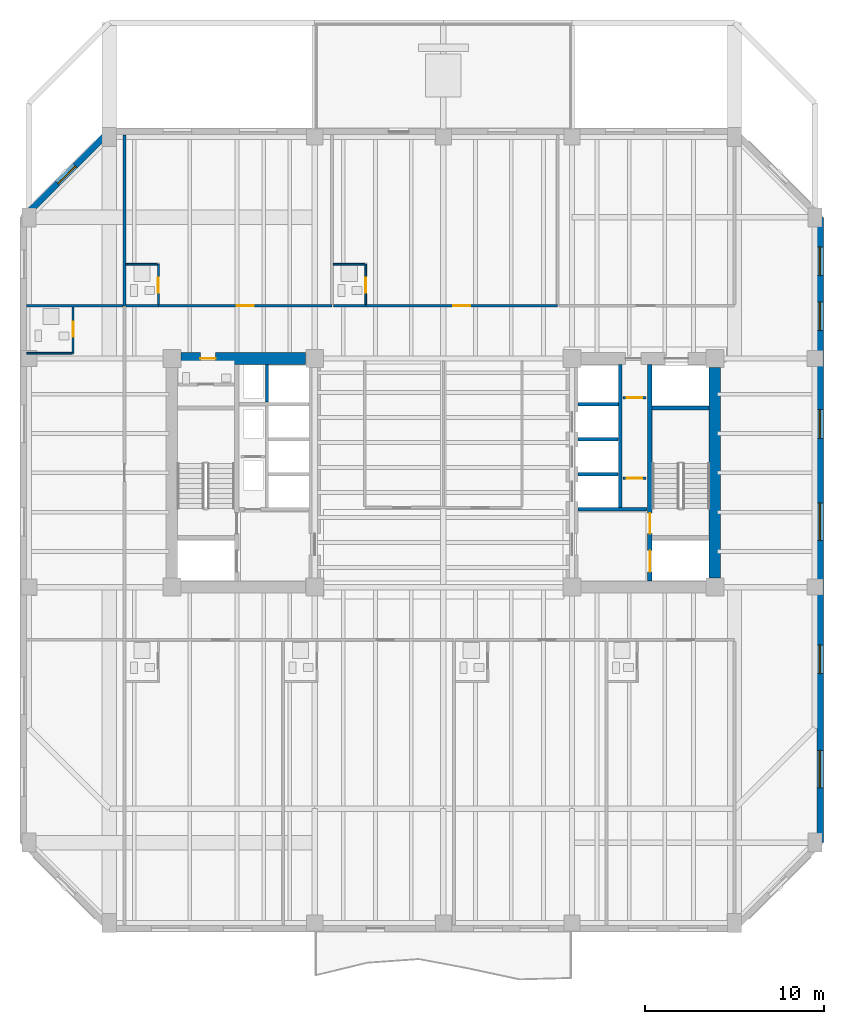
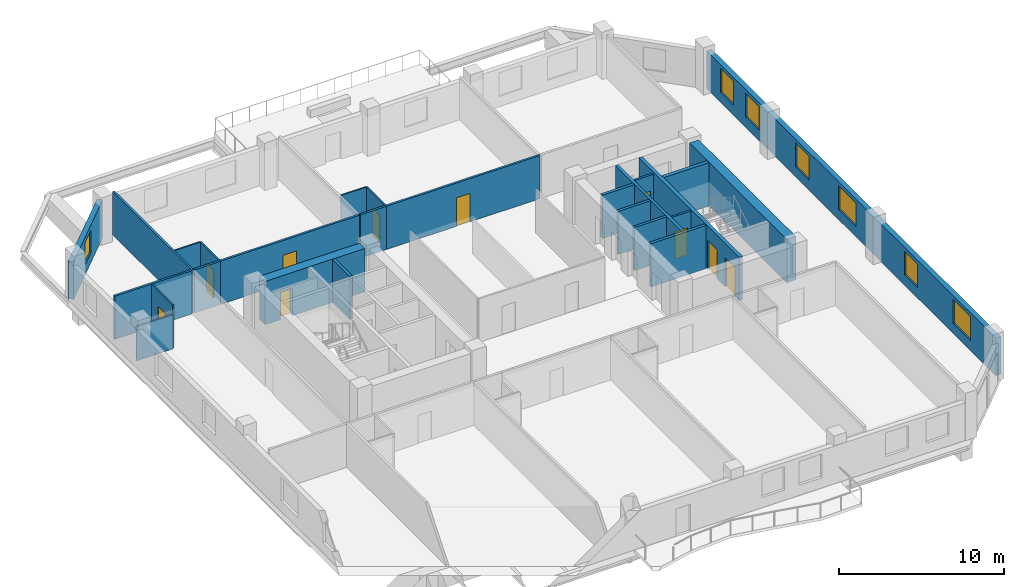
# One storey, part 5 of 11: 26 walls, 10 doors, 7 windows, 17 openings.
"""IFC4 building model written with IfcOpenShell, lengths in metres."""

from ifc_helpers import new_model, si_unit, direction, frame, frame_2d, origin, place, context, subcontext, project, spatial, rectangle, extrude, material, layer, layer_set, type_object, element, fill, save


model = new_model("IFC4")

# Units and contexts
model_context = context("Model", 3, precision=1e-05, world=origin(), true_north=direction((0.0, 1.0)))
body_context = subcontext(model_context, "Body", "Model", "MODEL_VIEW")
ifc_project = project(units=[si_unit("LENGTHUNIT", "METRE"), si_unit("AREAUNIT", "SQUARE_METRE"), si_unit("VOLUMEUNIT", "CUBIC_METRE"), si_unit("PLANEANGLEUNIT", "RADIAN"), si_unit("MASSUNIT", "GRAM", prefix="KILO")], contexts=[model_context])

# Site, building, storey
site_placement = place(None, origin())
site = spatial("IfcSite", under=ifc_project, at=site_placement, CompositionType="ELEMENT")
building_placement = place(site_placement, origin())
building = spatial("IfcBuilding", under=site, at=building_placement, Name="Kranthara Brick Stack", CompositionType="ELEMENT")
storey_placement = place(building_placement, frame((0.0, 0.0, 120.300048828125)))
storey = spatial("IfcBuildingStorey", under=building, at=storey_placement, Name="L29", CompositionType="ELEMENT", Elevation=120.300048828125)

# Wall, opening, window
ifc_material_1 = material(Name="Kiln-fired clay brick masonry M15", Category="masonry")
ifc_layer_1 = layer(ifc_material_1, 0.35009765625)
ifc_layer_set_1 = layer_set([ifc_layer_1], Name="Kiln-fired clay brick masonry M15")
wall_type_1 = type_object("IfcWallType", Name="WL-BRK-SPND-350", PredefinedType="STANDARD", material=ifc_layer_set_1)
wall_1_placement = place(storey_placement, frame((4.4951171875, 41.5, 0.0), z_axis=(0.0, 0.0, 1.0), x_axis=(0.707106781187, 0.707106781187, 0.0)))
wall_1 = element("IfcWall", 1, at=wall_1_placement, inside=storey, type_object=wall_type_1, Name="L29 Exterior Brick Facade Wall NW 1", PredefinedType="STANDARD", context=body_context, shape_type="SweptSolid", body=[
    extrude(rectangle(XDim=6.795166015625, YDim=0.35009765625, at=frame_2d((3.3974609375, 0.0))), origin(), (0.0, 0.0, 1.0), 2.784912109375),
])
opening_1_placement = place(wall_1_placement, frame((2.697998046875, 0.0, 0.75)))
opening_1 = element("IfcOpeningElement", 2, at=opening_1_placement, cuts=wall_1, Name="Opening WN10", PredefinedType="OPENING", context=body_context, shape_type="SweptSolid", body=[
    extrude(rectangle(XDim=1.39990234375, YDim=1.64990234375, at=frame_2d((0.699951171875, 0.824951171875))), frame((0.0, 0.18505859375, 0.0), z_axis=(0.0, -1.0, 0.0), x_axis=(1.0, 0.0, 0.0)), (0.0, 0.0, 1.0), 0.3701171875),
])
ifc_material_2 = material(Name="Double-glazed low-E solar control glass", Category="glass")
window_type_1 = type_object("IfcWindowType", Name="WN-CHM-1400x1750", PartitioningType="SINGLE_PANEL", PredefinedType="WINDOW", material=ifc_material_2)
window_1_placement = place(opening_1_placement, origin())
window_1 = element("IfcWindow", 3, at=window_1_placement, inside=storey, type_object=window_type_1, Name="L29 NW Chamfer Corner Window", OverallHeight=1.64990234375, OverallWidth=1.39990234375, PartitioningType="SINGLE_PANEL", PredefinedType="WINDOW", context=body_context, shape_type="SweptSolid", body=[
    extrude(rectangle(XDim=1.39990234375, YDim=1.64990234375, at=frame_2d((0.699951171875, 0.824951171875))), frame((0.0, -0.010009765625, 0.0), z_axis=(0.0, -1.0, 0.0), x_axis=(1.0, 0.0, 0.0)), (0.0, 0.0, 1.0), 0.06005859375),
])
fill(opening_1, window_1)

# Wall, openings, windows
wall_2_placement = place(storey_placement, frame((49.10498046875, 41.5, 0.0), z_axis=(0.0, 0.0, 1.0), x_axis=(0.0, -1.0, 0.0)))
wall_2 = element("IfcWall", 4, at=wall_2_placement, inside=storey, type_object=wall_type_1, Name="L29 Exterior Brick Facade Wall EAST 1", PredefinedType="STANDARD", context=body_context, shape_type="SweptSolid", body=[
    extrude(rectangle(XDim=35.0, YDim=0.35009765625, at=frame_2d((17.5, 0.0))), origin(), (0.0, 0.0, 1.0), 2.784912109375),
])
opening_2_placement = place(wall_2_placement, frame((1.64501953125, 0.0, 0.75)))
opening_2 = element("IfcOpeningElement", 5, at=opening_2_placement, cuts=wall_2, Name="Opening WN04", PredefinedType="OPENING", context=body_context, shape_type="SweptSolid", body=[
    extrude(rectangle(XDim=1.60009765625, YDim=1.75, at=frame_2d((0.800048828125, 0.875))), frame((0.0, 0.18505859375, 0.0), z_axis=(0.0, -1.0, 0.0), x_axis=(1.0, 0.0, 0.0)), (0.0, 0.0, 1.0), 0.3701171875),
])
opening_3_placement = place(wall_2_placement, frame((4.72900390625, 0.0, 0.75)))
opening_3 = element("IfcOpeningElement", 6, at=opening_3_placement, cuts=wall_2, Name="Opening WN04", PredefinedType="OPENING", context=body_context, shape_type="SweptSolid", body=[
    extrude(rectangle(XDim=1.60009765625, YDim=1.75, at=frame_2d((0.800048828125, 0.875))), frame((0.0, 0.18505859375, 0.0), z_axis=(0.0, -1.0, 0.0), x_axis=(1.0, 0.0, 0.0)), (0.0, 0.0, 1.0), 0.3701171875),
])
opening_4_placement = place(wall_2_placement, frame((10.763916015625, 0.0, 0.75)))
opening_4 = element("IfcOpeningElement", 7, at=opening_4_placement, cuts=wall_2, Name="Opening WN04", PredefinedType="OPENING", context=body_context, shape_type="SweptSolid", body=[
    extrude(rectangle(XDim=1.60009765625, YDim=1.75, at=frame_2d((0.800048828125, 0.875))), frame((0.0, 0.18505859375, 0.0), z_axis=(0.0, -1.0, 0.0), x_axis=(1.0, 0.0, 0.0)), (0.0, 0.0, 1.0), 0.3701171875),
])
opening_5_placement = place(wall_2_placement, frame((15.986083984375, 0.0, 0.75)))
opening_5 = element("IfcOpeningElement", 8, at=opening_5_placement, cuts=wall_2, Name="Opening WN05", PredefinedType="OPENING", context=body_context, shape_type="SweptSolid", body=[
    extrude(rectangle(XDim=2.10009765625, YDim=1.75, at=frame_2d((1.050048828125, 0.875))), frame((0.0, 0.18505859375, 0.0), z_axis=(0.0, -1.0, 0.0), x_axis=(1.0, 0.0, 0.0)), (0.0, 0.0, 1.0), 0.3701171875),
])
opening_6_placement = place(wall_2_placement, frame((23.93408203125, 0.0, 0.75)))
opening_6 = element("IfcOpeningElement", 9, at=opening_6_placement, cuts=wall_2, Name="Opening WN04", PredefinedType="OPENING", context=body_context, shape_type="SweptSolid", body=[
    extrude(rectangle(XDim=1.60009765625, YDim=1.75, at=frame_2d((0.800048828125, 0.875))), frame((0.0, 0.18505859375, 0.0), z_axis=(0.0, -1.0, 0.0), x_axis=(1.0, 0.0, 0.0)), (0.0, 0.0, 1.0), 0.3701171875),
])
opening_7_placement = place(wall_2_placement, frame((29.841064453125, 0.0, 0.75)))
opening_7 = element("IfcOpeningElement", 10, at=opening_7_placement, cuts=wall_2, Name="Opening WN05", PredefinedType="OPENING", context=body_context, shape_type="SweptSolid", body=[
    extrude(rectangle(XDim=2.10009765625, YDim=1.75, at=frame_2d((1.050048828125, 0.875))), frame((0.0, 0.18505859375, 0.0), z_axis=(0.0, -1.0, 0.0), x_axis=(1.0, 0.0, 0.0)), (0.0, 0.0, 1.0), 0.3701171875),
])
ifc_material_3 = material(Name="Double-glazed low-E solar control glass", Category="glass")
window_type_2 = type_object("IfcWindowType", Name="WN-HTL-1600x1850", PartitioningType="DOUBLE_PANEL_VERTICAL", PredefinedType="WINDOW", material=ifc_material_3)
window_2_placement = place(opening_2_placement, origin())
window_2 = element("IfcWindow", 11, at=window_2_placement, inside=storey, type_object=window_type_2, Name="L29 East Deep-Set Brick Window 01", OverallHeight=1.75, OverallWidth=1.60009765625, PartitioningType="SINGLE_PANEL", PredefinedType="WINDOW", context=body_context, shape_type="SweptSolid", body=[
    extrude(rectangle(XDim=1.60009765625, YDim=1.75, at=frame_2d((0.800048828125, 0.875))), frame((0.0, -0.010009765625, 0.0), z_axis=(0.0, -1.0, 0.0), x_axis=(1.0, 0.0, 0.0)), (0.0, 0.0, 1.0), 0.06005859375),
])
fill(opening_2, window_2)
window_3_placement = place(opening_3_placement, origin())
window_3 = element("IfcWindow", 12, at=window_3_placement, inside=storey, type_object=window_type_2, Name="L29 East Deep-Set Brick Window 02", OverallHeight=1.75, OverallWidth=1.60009765625, PartitioningType="SINGLE_PANEL", PredefinedType="WINDOW", context=body_context, shape_type="SweptSolid", body=[
    extrude(rectangle(XDim=1.60009765625, YDim=1.75, at=frame_2d((0.800048828125, 0.875))), frame((0.0, -0.010009765625, 0.0), z_axis=(0.0, -1.0, 0.0), x_axis=(1.0, 0.0, 0.0)), (0.0, 0.0, 1.0), 0.06005859375),
])
fill(opening_3, window_3)
window_4_placement = place(opening_4_placement, origin())
window_4 = element("IfcWindow", 13, at=window_4_placement, inside=storey, type_object=window_type_2, Name="L29 East Deep-Set Brick Window 03", OverallHeight=1.75, OverallWidth=1.60009765625, PartitioningType="SINGLE_PANEL", PredefinedType="WINDOW", context=body_context, shape_type="SweptSolid", body=[
    extrude(rectangle(XDim=1.60009765625, YDim=1.75, at=frame_2d((0.800048828125, 0.875))), frame((0.0, -0.010009765625, 0.0), z_axis=(0.0, -1.0, 0.0), x_axis=(1.0, 0.0, 0.0)), (0.0, 0.0, 1.0), 0.06005859375),
])
fill(opening_4, window_4)
window_5_placement = place(opening_6_placement, origin())
window_5 = element("IfcWindow", 14, at=window_5_placement, inside=storey, type_object=window_type_2, Name="L29 East Deep-Set Brick Window 05", OverallHeight=1.75, OverallWidth=1.60009765625, PartitioningType="SINGLE_PANEL", PredefinedType="WINDOW", context=body_context, shape_type="SweptSolid", body=[
    extrude(rectangle(XDim=1.60009765625, YDim=1.75, at=frame_2d((0.800048828125, 0.875))), frame((0.0, -0.010009765625, 0.0), z_axis=(0.0, -1.0, 0.0), x_axis=(1.0, 0.0, 0.0)), (0.0, 0.0, 1.0), 0.06005859375),
])
fill(opening_6, window_5)
ifc_material_4 = material(Name="Double-glazed low-E solar control glass", Category="glass")
window_type_3 = type_object("IfcWindowType", Name="WN-HTL-2100x1850", PartitioningType="DOUBLE_PANEL_VERTICAL", PredefinedType="WINDOW", material=ifc_material_4)
window_6_placement = place(opening_5_placement, origin())
window_6 = element("IfcWindow", 15, at=window_6_placement, inside=storey, type_object=window_type_3, Name="L29 East Deep-Set Brick Window 04", OverallHeight=1.75, OverallWidth=2.10009765625, PartitioningType="SINGLE_PANEL", PredefinedType="WINDOW", context=body_context, shape_type="SweptSolid", body=[
    extrude(rectangle(XDim=2.10009765625, YDim=1.75, at=frame_2d((1.050048828125, 0.875))), frame((0.0, -0.010009765625, 0.0), z_axis=(0.0, -1.0, 0.0), x_axis=(1.0, 0.0, 0.0)), (0.0, 0.0, 1.0), 0.06005859375),
])
fill(opening_5, window_6)
window_7_placement = place(opening_7_placement, origin())
window_7 = element("IfcWindow", 16, at=window_7_placement, inside=storey, type_object=window_type_3, Name="L29 East Deep-Set Brick Window 06", OverallHeight=1.75, OverallWidth=2.10009765625, PartitioningType="SINGLE_PANEL", PredefinedType="WINDOW", context=body_context, shape_type="SweptSolid", body=[
    extrude(rectangle(XDim=2.10009765625, YDim=1.75, at=frame_2d((1.050048828125, 0.875))), frame((0.0, -0.010009765625, 0.0), z_axis=(0.0, -1.0, 0.0), x_axis=(1.0, 0.0, 0.0)), (0.0, 0.0, 1.0), 0.06005859375),
])
fill(opening_7, window_7)

# Wall, openings, doors
ifc_material_5 = material(Name="Concrete C50/60", Category="concrete")
ifc_layer_2 = layer(ifc_material_5, 0.25)
ifc_layer_set_2 = layer_set([ifc_layer_2], Name="Concrete C50/60")
wall_type_2 = type_object("IfcWallType", Name="WL-CORE-250", PredefinedType="SHEAR", material=ifc_layer_set_2)
wall_3_placement = place(storey_placement, frame((39.56494140625, 21.135009765625, 0.0), z_axis=(0.0, 0.0, 1.0), x_axis=(0.0, 1.0, 0.0)))
wall_3 = element("IfcWall", 17, at=wall_3_placement, inside=storey, type_object=wall_type_2, Name="L29 East Core Stair Bearing Spine Wall", PredefinedType="SHEAR", context=body_context, shape_type="SweptSolid", body=[
    extrude(rectangle(XDim=12.1298828125, YDim=0.25, at=frame_2d((6.06494140625, 0.0))), origin(), (0.0, 0.0, 1.0), 3.199951171875),
])
opening_8_placement = place(wall_3_placement, frame((0.514892578125, 0.0, 0.0)))
opening_8 = element("IfcOpeningElement", 18, at=opening_8_placement, cuts=wall_3, Name="Opening LD01", PredefinedType="OPENING", context=body_context, shape_type="SweptSolid", body=[
    extrude(rectangle(XDim=1.199951171875, YDim=2.14990234375, at=frame_2d((0.60009765625, 1.074951171875))), frame((0.0, 0.135009765625, 0.0), z_axis=(0.0, -1.0, 0.0), x_axis=(1.0, 0.0, 0.0)), (0.0, 0.0, 1.0), 0.27001953125),
])
opening_9_placement = place(wall_3_placement, frame((2.6650390625, 0.0, 0.0)))
opening_9 = element("IfcOpeningElement", 19, at=opening_9_placement, cuts=wall_3, Name="Opening D05", PredefinedType="OPENING", context=body_context, shape_type="SweptSolid", body=[
    extrude(rectangle(XDim=1.14990234375, YDim=2.14990234375, at=frame_2d((0.574951171875, 1.074951171875))), frame((0.0, 0.135009765625, 0.0), z_axis=(0.0, -1.0, 0.0), x_axis=(1.0, 0.0, 0.0)), (0.0, 0.0, 1.0), 0.27001953125),
])
ifc_material_6 = material(Name="Stainless steel sliding landing door", Category="steel")
door_type_1 = type_object("IfcDoorType", Name="DR-LD-FF1200", OperationType="DOUBLE_DOOR_SLIDING", PredefinedType="DOOR", material=ifc_material_6)
door_1_placement = place(opening_8_placement, origin())
door_1 = element("IfcDoor", 20, at=door_1_placement, inside=storey, type_object=door_type_1, Name="L29 Firefighting Lift FF-02 Landing Door", OperationType="DOUBLE_DOOR_SLIDING", OverallHeight=2.14990234375, OverallWidth=1.199951171875, PredefinedType="DOOR", context=body_context, shape_type="SweptSolid", body=[
    extrude(rectangle(XDim=1.199951171875, YDim=2.14990234375, at=frame_2d((0.60009765625, 1.074951171875))), frame((0.0, 0.02490234375, 0.0), z_axis=(0.0, -1.0, 0.0), x_axis=(1.0, 0.0, 0.0)), (0.0, 0.0, 1.0), 0.050048828125),
])
fill(opening_8, door_1)
ifc_material_7 = material(Name="Solid-core hardwood timber leaf in steel frame", Category="steel")
door_type_2 = type_object("IfcDoorType", Name="DR-ST-1150", OperationType="NOTDEFINED", PredefinedType="DOOR", material=ifc_material_7)
door_2_placement = place(opening_9_placement, origin())
door_2 = element("IfcDoor", 21, at=door_2_placement, inside=storey, type_object=door_type_2, Name="L29 Exit Stair ST02 Door", OperationType="SINGLE_SWING_LEFT", OverallHeight=2.14990234375, OverallWidth=1.14990234375, PredefinedType="DOOR", context=body_context, shape_type="SweptSolid", body=[
    extrude(rectangle(XDim=1.14990234375, YDim=2.14990234375, at=frame_2d((0.574951171875, 1.074951171875))), frame((0.0, 0.02490234375, 0.0), z_axis=(0.0, -1.0, 0.0), x_axis=(1.0, 0.0, 0.0)), (0.0, 0.0, 1.0), 0.050048828125),
])
fill(opening_9, door_2)

# Wall
wall_4_placement = place(storey_placement, frame((39.68994140625, 30.830078125, 0.0), z_axis=(0.0, 0.0, 1.0), x_axis=(1.0, 0.0, 0.0)))
element("IfcWall", 22, at=wall_4_placement, inside=storey, type_object=wall_type_2, Name="L29 East Stairwell Bearing Wall EST", PredefinedType="SHEAR", context=body_context, shape_type="SweptSolid", body=[
    extrude(rectangle(XDim=3.175048828125, YDim=0.25, at=frame_2d((1.58740234375, 0.0))), origin(), (0.0, 0.0, 1.0), 3.199951171875),
])

# Wall, opening, door
ifc_material_8 = material(Name="Concrete C60/75", Category="concrete")
ifc_layer_3 = layer(ifc_material_8, 0.64990234375)
ifc_layer_set_3 = layer_set([ifc_layer_3], Name="Concrete C60/75")
wall_type_3 = type_object("IfcWallType", Name="WL-CORE-650", PredefinedType="SHEAR", material=ifc_layer_set_3)
wall_5_placement = place(storey_placement, frame((13.304931640625, 33.60009765625, 0.0), z_axis=(0.0, 0.0, 1.0), x_axis=(1.0, 0.0, 0.0)))
wall_5 = element("IfcWall", 23, at=wall_5_placement, inside=storey, type_object=wall_type_3, Name="L29 West Core Shear Wall North", PredefinedType="SHEAR", context=body_context, shape_type="SweptSolid", body=[
    extrude(rectangle(XDim=6.989990234375, YDim=0.64990234375, at=frame_2d((3.4951171875, 0.0))), origin(), (0.0, 0.0, 1.0), 3.199951171875),
])
opening_10_placement = place(wall_5_placement, frame((1.094970703125, 0.0, 0.0)))
opening_10 = element("IfcOpeningElement", 24, at=opening_10_placement, cuts=wall_5, Name="Opening D10", PredefinedType="OPENING", context=body_context, shape_type="SweptSolid", body=[
    extrude(rectangle(XDim=0.85009765625, YDim=2.02001953125, at=frame_2d((0.425048828125, 1.010009765625))), frame((0.0, 0.3349609375, 0.0), z_axis=(0.0, -1.0, 0.0), x_axis=(1.0, 0.0, 0.0)), (0.0, 0.0, 1.0), 0.669921875),
])
ifc_material_9 = material(Name="Solid-core hardwood timber leaf in steel frame", Category="steel")
door_type_3 = type_object("IfcDoorType", Name="DR-RSR-850", OperationType="NOTDEFINED", PredefinedType="DOOR", material=ifc_material_9)
door_3_placement = place(opening_10_placement, origin())
door_3 = element("IfcDoor", 25, at=door_3_placement, inside=storey, type_object=door_type_3, Name="L29 West Core Service Door 1", OperationType="SINGLE_SWING_LEFT", OverallHeight=2.02001953125, OverallWidth=0.85009765625, PredefinedType="DOOR", context=body_context, shape_type="SweptSolid", body=[
    extrude(rectangle(XDim=0.85009765625, YDim=2.02001953125, at=frame_2d((0.425048828125, 1.010009765625))), frame((0.0, 0.02490234375, 0.0), z_axis=(0.0, -1.0, 0.0), x_axis=(1.0, 0.0, 0.0)), (0.0, 0.0, 1.0), 0.050048828125),
])
fill(opening_10, door_3)

# Wall
wall_6_placement = place(storey_placement, frame((43.199951171875, 21.304931640625, 0.0), z_axis=(0.0, 0.0, 1.0), x_axis=(0.0, 1.0, 0.0)))
element("IfcWall", 26, at=wall_6_placement, inside=storey, type_object=wall_type_3, Name="L29 East Core Shear Wall East", PredefinedType="SHEAR", context=body_context, shape_type="SweptSolid", body=[
    extrude(rectangle(XDim=11.7900390625, YDim=0.64990234375, at=frame_2d((5.89501953125, 0.0))), origin(), (0.0, 0.0, 1.0), 3.199951171875),
])

# Wall, opening, door
ifc_material_10 = material(Name="Moisture-resistant wet-room partition", Category="other")
ifc_layer_4 = layer(ifc_material_10, 0.10009765625)
ifc_layer_set_4 = layer_set([ifc_layer_4], Name="Moisture-resistant wet-room partition")
wall_type_4 = type_object("IfcWallType", Name="WL-PART-100", PredefinedType="PARTITIONING", material=ifc_layer_set_4)
wall_7_placement = place(storey_placement, frame((12.050048828125, 36.6298828125, 0.0), z_axis=(0.0, 0.0, 1.0), x_axis=(0.0, 1.0, 0.0)))
wall_7 = element("IfcWall", 27, at=wall_7_placement, inside=storey, type_object=wall_type_4, Name="L29 Interior Partition 033", PredefinedType="PARTITIONING", context=body_context, shape_type="SweptSolid", body=[
    extrude(rectangle(XDim=2.25, YDim=0.10009765625, at=frame_2d((1.125, 0.0))), origin(), (0.0, 0.0, 1.0), 3.199951171875),
])
opening_11_placement = place(wall_7_placement, frame((0.639892578125, 0.0, 0.0)))
opening_11 = element("IfcOpeningElement", 28, at=opening_11_placement, cuts=wall_7, Name="Opening D17", PredefinedType="OPENING", context=body_context, shape_type="SweptSolid", body=[
    extrude(rectangle(XDim=0.85009765625, YDim=2.050048828125, at=frame_2d((0.425048828125, 1.02490234375))), frame((0.0, 0.06005859375, 0.0), z_axis=(0.0, -1.0, 0.0), x_axis=(1.0, 0.0, 0.0)), (0.0, 0.0, 1.0), 0.1201171875),
])
ifc_material_11 = material(Name="Solid-core hardwood timber leaf in steel frame", Category="steel")
door_type_4 = type_object("IfcDoorType", Name="DR-WET-850", OperationType="NOTDEFINED", PredefinedType="DOOR", material=ifc_material_11)
door_4_placement = place(opening_11_placement, origin())
door_4 = element("IfcDoor", 29, at=door_4_placement, inside=storey, type_object=door_type_4, Name="L29 Key 05 En-Suite Door 15", OperationType="SINGLE_SWING_LEFT", OverallHeight=2.050048828125, OverallWidth=0.85009765625, PredefinedType="DOOR", context=body_context, shape_type="SweptSolid", body=[
    extrude(rectangle(XDim=0.85009765625, YDim=2.050048828125, at=frame_2d((0.425048828125, 1.02490234375))), frame((0.0, 0.02490234375, 0.0), z_axis=(0.0, -1.0, 0.0), x_axis=(1.0, 0.0, 0.0)), (0.0, 0.0, 1.0), 0.050048828125),
])
fill(opening_11, door_4)

# Wall
wall_8_placement = place(storey_placement, frame((10.22998046875, 38.8798828125, 0.0), z_axis=(0.0, 0.0, 1.0), x_axis=(1.0, 0.0, 0.0)))
element("IfcWall", 30, at=wall_8_placement, inside=storey, type_object=wall_type_4, Name="L29 Interior Partition 034", PredefinedType="PARTITIONING", context=body_context, shape_type="SweptSolid", body=[
    extrude(rectangle(XDim=1.76513671875, YDim=0.10009765625, at=frame_2d((0.882568359375, 0.0))), origin(), (0.0, 0.0, 1.0), 3.199951171875),
])

# Wall, opening, door
wall_9_placement = place(storey_placement, frame((23.660888671875, 36.6298828125, 0.0), z_axis=(0.0, 0.0, 1.0), x_axis=(0.0, 1.0, 0.0)))
wall_9 = element("IfcWall", 31, at=wall_9_placement, inside=storey, type_object=wall_type_4, Name="L29 Interior Partition 038", PredefinedType="PARTITIONING", context=body_context, shape_type="SweptSolid", body=[
    extrude(rectangle(XDim=2.25, YDim=0.10009765625, at=frame_2d((1.125, 0.0))), origin(), (0.0, 0.0, 1.0), 3.199951171875),
])
opening_12_placement = place(wall_9_placement, frame((0.639892578125, 0.0, 0.0)))
opening_12 = element("IfcOpeningElement", 32, at=opening_12_placement, cuts=wall_9, Name="Opening D17", PredefinedType="OPENING", context=body_context, shape_type="SweptSolid", body=[
    extrude(rectangle(XDim=0.85009765625, YDim=2.050048828125, at=frame_2d((0.425048828125, 1.02490234375))), frame((0.0, 0.06005859375, 0.0), z_axis=(0.0, -1.0, 0.0), x_axis=(1.0, 0.0, 0.0)), (0.0, 0.0, 1.0), 0.1201171875),
])
door_5_placement = place(opening_12_placement, origin())
door_5 = element("IfcDoor", 33, at=door_5_placement, inside=storey, type_object=door_type_4, Name="L29 Key 06 En-Suite Door 17", OperationType="SINGLE_SWING_LEFT", OverallHeight=2.050048828125, OverallWidth=0.85009765625, PredefinedType="DOOR", context=body_context, shape_type="SweptSolid", body=[
    extrude(rectangle(XDim=0.85009765625, YDim=2.050048828125, at=frame_2d((0.425048828125, 1.02490234375))), frame((0.0, 0.02490234375, 0.0), z_axis=(0.0, -1.0, 0.0), x_axis=(1.0, 0.0, 0.0)), (0.0, 0.0, 1.0), 0.050048828125),
])
fill(opening_12, door_5)

# Wall
wall_10_placement = place(storey_placement, frame((21.841064453125, 38.8798828125, 0.0), z_axis=(0.0, 0.0, 1.0), x_axis=(1.0, 0.0, 0.0)))
element("IfcWall", 34, at=wall_10_placement, inside=storey, type_object=wall_type_4, Name="L29 Interior Partition 039", PredefinedType="PARTITIONING", context=body_context, shape_type="SweptSolid", body=[
    extrude(rectangle(XDim=1.764892578125, YDim=0.10009765625, at=frame_2d((0.88232421875, 0.0))), origin(), (0.0, 0.0, 1.0), 3.199951171875),
])

# Wall, opening, door
wall_11_placement = place(storey_placement, frame((7.27001953125, 33.89990234375, 0.0), z_axis=(0.0, 0.0, 1.0), x_axis=(0.0, 1.0, 0.0)))
wall_11 = element("IfcWall", 35, at=wall_11_placement, inside=storey, type_object=wall_type_4, Name="L29 Interior Partition 046", PredefinedType="PARTITIONING", context=body_context, shape_type="SweptSolid", body=[
    extrude(rectangle(XDim=2.570068359375, YDim=0.10009765625, at=frame_2d((1.28515625, 0.0))), origin(), (0.0, 0.0, 1.0), 3.199951171875),
])
opening_13_placement = place(wall_11_placement, frame((0.905029296875, 0.0, 0.0)))
opening_13 = element("IfcOpeningElement", 36, at=opening_13_placement, cuts=wall_11, Name="Opening D17", PredefinedType="OPENING", context=body_context, shape_type="SweptSolid", body=[
    extrude(rectangle(XDim=0.85009765625, YDim=2.050048828125, at=frame_2d((0.425048828125, 1.02490234375))), frame((0.0, 0.06005859375, 0.0), z_axis=(0.0, -1.0, 0.0), x_axis=(1.0, 0.0, 0.0)), (0.0, 0.0, 1.0), 0.1201171875),
])
door_6_placement = place(opening_13_placement, origin())
door_6 = element("IfcDoor", 37, at=door_6_placement, inside=storey, type_object=door_type_4, Name="L29 West Key 8 Bath 20", OperationType="SINGLE_SWING_RIGHT", OverallHeight=2.050048828125, OverallWidth=0.85009765625, PredefinedType="DOOR", context=body_context, shape_type="SweptSolid", body=[
    extrude(rectangle(XDim=0.85009765625, YDim=2.050048828125, at=frame_2d((0.425048828125, 1.02490234375))), frame((0.0, 0.02490234375, 0.0), z_axis=(0.0, -1.0, 0.0), x_axis=(1.0, 0.0, 0.0)), (0.0, 0.0, 1.0), 0.050048828125),
])
fill(opening_13, door_6)

# Wall
wall_12_placement = place(storey_placement, frame((4.675048828125, 33.89990234375, 0.0), z_axis=(0.0, 0.0, 1.0), x_axis=(1.0, 0.0, 0.0)))
element("IfcWall", 38, at=wall_12_placement, inside=storey, type_object=wall_type_4, Name="L29 Interior Partition 047", PredefinedType="PARTITIONING", context=body_context, shape_type="SweptSolid", body=[
    extrude(rectangle(XDim=2.5400390625, YDim=0.10009765625, at=frame_2d((1.27001953125, 0.0))), origin(), (0.0, 0.0, 1.0), 2.534912109375),
])

# Wall, opening, door
ifc_material_12 = material(Name="Fire-rated gypsum board partition", Category="other")
ifc_layer_5 = layer(ifc_material_12, 0.14990234375)
ifc_layer_set_5 = layer_set([ifc_layer_5], Name="Fire-rated gypsum board partition")
wall_type_5 = type_object("IfcWallType", Name="WL-PART-150", PredefinedType="PARTITIONING", material=ifc_layer_set_5)
wall_13_placement = place(storey_placement, frame((38.050048828125, 26.89990234375, 0.0), z_axis=(0.0, 0.0, 1.0), x_axis=(1.0, 0.0, 0.0)))
wall_13 = element("IfcWall", 39, at=wall_13_placement, inside=storey, type_object=wall_type_5, Name="L29 Interior Partition 002", PredefinedType="PARTITIONING", context=body_context, shape_type="SweptSolid", body=[
    extrude(rectangle(XDim=1.300048828125, YDim=0.14990234375, at=frame_2d((0.64990234375, 0.0))), origin(), (0.0, 0.0, 1.0), 3.199951171875),
])
opening_14_placement = place(wall_13_placement, frame((0.219970703125, 0.0, 0.0)))
opening_14 = element("IfcOpeningElement", 40, at=opening_14_placement, cuts=wall_13, Name="Opening D10", PredefinedType="OPENING", context=body_context, shape_type="SweptSolid", body=[
    extrude(rectangle(XDim=0.85009765625, YDim=2.02001953125, at=frame_2d((0.425048828125, 1.010009765625))), frame((0.0, 0.0849609375, 0.0), z_axis=(0.0, -1.0, 0.0), x_axis=(1.0, 0.0, 0.0)), (0.0, 0.0, 1.0), 0.169921875),
])
door_7_placement = place(opening_14_placement, origin())
door_7 = element("IfcDoor", 41, at=door_7_placement, inside=storey, type_object=door_type_3, Name="L29 East Valve Door 02", OperationType="SINGLE_SWING_RIGHT", OverallHeight=2.02001953125, OverallWidth=0.85009765625, PredefinedType="DOOR", context=body_context, shape_type="SweptSolid", body=[
    extrude(rectangle(XDim=0.85009765625, YDim=2.02001953125, at=frame_2d((0.425048828125, 1.010009765625))), frame((0.0, 0.02490234375, 0.0), z_axis=(0.0, -1.0, 0.0), x_axis=(1.0, 0.0, 0.0)), (0.0, 0.0, 1.0), 0.050048828125),
])
fill(opening_14, door_7)

wall_14_placement = place(storey_placement, frame((38.050048828125, 31.39990234375, 0.0), z_axis=(0.0, 0.0, 1.0), x_axis=(1.0, 0.0, 0.0)))
wall_14 = element("IfcWall", 42, at=wall_14_placement, inside=storey, type_object=wall_type_5, Name="L29 Interior Partition 003", PredefinedType="PARTITIONING", context=body_context, shape_type="SweptSolid", body=[
    extrude(rectangle(XDim=1.300048828125, YDim=0.14990234375, at=frame_2d((0.64990234375, 0.0))), origin(), (0.0, 0.0, 1.0), 3.199951171875),
])
opening_15_placement = place(wall_14_placement, frame((0.219970703125, 0.0, 0.0)))
opening_15 = element("IfcOpeningElement", 43, at=opening_15_placement, cuts=wall_14, Name="Opening D10", PredefinedType="OPENING", context=body_context, shape_type="SweptSolid", body=[
    extrude(rectangle(XDim=0.85009765625, YDim=2.02001953125, at=frame_2d((0.425048828125, 1.010009765625))), frame((0.0, 0.0849609375, 0.0), z_axis=(0.0, -1.0, 0.0), x_axis=(1.0, 0.0, 0.0)), (0.0, 0.0, 1.0), 0.169921875),
])
door_8_placement = place(opening_15_placement, origin())
door_8 = element("IfcDoor", 44, at=door_8_placement, inside=storey, type_object=door_type_3, Name="L29 East Switch Door 03", OperationType="SINGLE_SWING_LEFT", OverallHeight=2.02001953125, OverallWidth=0.85009765625, PredefinedType="DOOR", context=body_context, shape_type="SweptSolid", body=[
    extrude(rectangle(XDim=0.85009765625, YDim=2.02001953125, at=frame_2d((0.425048828125, 1.010009765625))), frame((0.0, 0.02490234375, 0.0), z_axis=(0.0, -1.0, 0.0), x_axis=(1.0, 0.0, 0.0)), (0.0, 0.0, 1.0), 0.050048828125),
])
fill(opening_15, door_8)

# Walls
wall_15_placement = place(storey_placement, frame((10.14990234375, 36.550048828125, 0.0), z_axis=(0.0, 0.0, 1.0), x_axis=(0.0, 1.0, 0.0)))
element("IfcWall", 45, at=wall_15_placement, inside=storey, type_object=wall_type_5, Name="L29 Interior Partition 030", PredefinedType="PARTITIONING", context=body_context, shape_type="SweptSolid", body=[
    extrude(rectangle(XDim=9.574951171875, YDim=0.14990234375, at=frame_2d((4.78759765625, 0.0))), origin(), (0.0, 0.0, 1.0), 3.199951171875),
])
wall_16_placement = place(storey_placement, frame((10.22998046875, 36.550048828125, 0.0), z_axis=(0.0, 0.0, 1.0), x_axis=(1.0, 0.0, 0.0)))
element("IfcWall", 46, at=wall_16_placement, inside=storey, type_object=wall_type_5, Name="L29 Interior Partition 031", PredefinedType="PARTITIONING", context=body_context, shape_type="SweptSolid", body=[
    extrude(rectangle(XDim=1.820068359375, YDim=0.14990234375, at=frame_2d((0.91015625, 0.0))), origin(), (0.0, 0.0, 1.0), 3.199951171875),
])

# Wall, opening, door
wall_17_placement = place(storey_placement, frame((12.050048828125, 36.550048828125, 0.0), z_axis=(0.0, 0.0, 1.0), x_axis=(1.0, 0.0, 0.0)))
wall_17 = element("IfcWall", 47, at=wall_17_placement, inside=storey, type_object=wall_type_5, Name="L29 Interior Partition 032", PredefinedType="PARTITIONING", context=body_context, shape_type="SweptSolid", body=[
    extrude(rectangle(XDim=9.7109375, YDim=0.14990234375, at=frame_2d((4.85546875, 0.0))), origin(), (0.0, 0.0, 1.0), 3.199951171875),
])
opening_16_placement = place(wall_17_placement, frame((4.375, 0.0, 0.0)))
opening_16 = element("IfcOpeningElement", 48, at=opening_16_placement, cuts=wall_17, Name="Opening D09", PredefinedType="OPENING", context=body_context, shape_type="SweptSolid", body=[
    extrude(rectangle(XDim=0.949951171875, YDim=2.10009765625, at=frame_2d((0.47509765625, 1.050048828125))), frame((0.0, 0.0849609375, 0.0), z_axis=(0.0, -1.0, 0.0), x_axis=(1.0, 0.0, 0.0)), (0.0, 0.0, 1.0), 0.169921875),
])
ifc_material_13 = material(Name="Solid-core hardwood timber leaf in steel frame", Category="steel")
door_type_5 = type_object("IfcDoorType", Name="DR-FD-950", OperationType="NOTDEFINED", PredefinedType="DOOR", material=ifc_material_13)
door_9_placement = place(opening_16_placement, origin())
door_9 = element("IfcDoor", 49, at=door_9_placement, inside=storey, type_object=door_type_5, Name="L29 Key 05 Entry 16", OperationType="SINGLE_SWING_RIGHT", OverallHeight=2.10009765625, OverallWidth=0.949951171875, PredefinedType="DOOR", context=body_context, shape_type="SweptSolid", body=[
    extrude(rectangle(XDim=0.949951171875, YDim=2.10009765625, at=frame_2d((0.47509765625, 1.050048828125))), frame((0.0, 0.02490234375, 0.0), z_axis=(0.0, -1.0, 0.0), x_axis=(1.0, 0.0, 0.0)), (0.0, 0.0, 1.0), 0.050048828125),
])
fill(opening_16, door_9)

# Wall
wall_18_placement = place(storey_placement, frame((21.841064453125, 36.550048828125, 0.0), z_axis=(0.0, 0.0, 1.0), x_axis=(1.0, 0.0, 0.0)))
element("IfcWall", 50, at=wall_18_placement, inside=storey, type_object=wall_type_5, Name="L29 Interior Partition 036", PredefinedType="PARTITIONING", context=body_context, shape_type="SweptSolid", body=[
    extrude(rectangle(XDim=1.81982421875, YDim=0.14990234375, at=frame_2d((0.909912109375, 0.0))), origin(), (0.0, 0.0, 1.0), 3.199951171875),
])

# Wall, opening, door
wall_19_placement = place(storey_placement, frame((23.660888671875, 36.550048828125, 0.0), z_axis=(0.0, 0.0, 1.0), x_axis=(1.0, 0.0, 0.0)))
wall_19 = element("IfcWall", 51, at=wall_19_placement, inside=storey, type_object=wall_type_5, Name="L29 Interior Partition 037", PredefinedType="PARTITIONING", context=body_context, shape_type="SweptSolid", body=[
    extrude(rectangle(XDim=10.735107421875, YDim=0.14990234375, at=frame_2d((5.36767578125, 0.0))), origin(), (0.0, 0.0, 1.0), 3.199951171875),
])
opening_17_placement = place(wall_19_placement, frame((4.887939453125, 0.0, 0.0)))
opening_17 = element("IfcOpeningElement", 52, at=opening_17_placement, cuts=wall_19, Name="Opening D09", PredefinedType="OPENING", context=body_context, shape_type="SweptSolid", body=[
    extrude(rectangle(XDim=0.949951171875, YDim=2.10009765625, at=frame_2d((0.47509765625, 1.050048828125))), frame((0.0, 0.0849609375, 0.0), z_axis=(0.0, -1.0, 0.0), x_axis=(1.0, 0.0, 0.0)), (0.0, 0.0, 1.0), 0.169921875),
])
door_10_placement = place(opening_17_placement, origin())
door_10 = element("IfcDoor", 53, at=door_10_placement, inside=storey, type_object=door_type_5, Name="L29 Key 06 Entry 18", OperationType="SINGLE_SWING_RIGHT", OverallHeight=2.10009765625, OverallWidth=0.949951171875, PredefinedType="DOOR", context=body_context, shape_type="SweptSolid", body=[
    extrude(rectangle(XDim=0.949951171875, YDim=2.10009765625, at=frame_2d((0.47509765625, 1.050048828125))), frame((0.0, 0.02490234375, 0.0), z_axis=(0.0, -1.0, 0.0), x_axis=(1.0, 0.0, 0.0)), (0.0, 0.0, 1.0), 0.050048828125),
])
fill(opening_17, door_10)

# Walls
wall_20_placement = place(storey_placement, frame((4.675048828125, 36.550048828125, 0.0), z_axis=(0.0, 0.0, 1.0), x_axis=(1.0, 0.0, 0.0)))
element("IfcWall", 54, at=wall_20_placement, inside=storey, type_object=wall_type_5, Name="L29 Interior Partition 044", PredefinedType="PARTITIONING", context=body_context, shape_type="SweptSolid", body=[
    extrude(rectangle(XDim=5.39501953125, YDim=0.14990234375, at=frame_2d((2.697509765625, 0.0))), origin(), (0.0, 0.0, 1.0), 3.199951171875),
])
ifc_material_14 = material(Name="Gypsum plasterboard on acoustic twin stud", Category="other")
ifc_layer_6 = layer(ifc_material_14, 0.179931640625)
ifc_layer_set_6 = layer_set([ifc_layer_6], Name="Gypsum plasterboard on acoustic twin stud")
wall_type_6 = type_object("IfcWallType", Name="WL-PART-180", PredefinedType="PARTITIONING", material=ifc_layer_set_6)
wall_21_placement = place(storey_placement, frame((18.1201171875, 31.169921875, 0.0), z_axis=(0.0, 0.0, 1.0), x_axis=(0.0, 1.0, 0.0)))
element("IfcWall", 55, at=wall_21_placement, inside=storey, type_object=wall_type_6, Name="L29 West Hoistway Wall WBK7", PredefinedType="PARTITIONING", context=body_context, shape_type="SweptSolid", body=[
    extrude(rectangle(XDim=2.094970703125, YDim=0.179931640625, at=frame_2d((1.04736328125, 0.0))), origin(), (0.0, 0.0, 1.0), 3.199951171875),
])
for number, where, z_axis, x_axis, name in (
    (56, (35.534912109375, 27.1201171875, 0.0), (0.0, 0.0, 1.0), (1.0, 0.0, 0.0), "L29 East Hoistway Wall EH1"),
    (57, (35.534912109375, 29.080078125, 0.0), (0.0, 0.0, 1.0), (1.0, 0.0, 0.0), "L29 East Hoistway Wall EH2"),
):
    element("IfcWall", number, at=place(storey_placement, frame(where, z_axis=z_axis, x_axis=x_axis)), inside=storey, type_object=wall_type_6, Name=name, PredefinedType="PARTITIONING", context=body_context, shape_type="SweptSolid", body=[
        extrude(rectangle(XDim=2.2451171875, YDim=0.179931640625, at=frame_2d((1.12255859375, 0.0))), origin(), (0.0, 0.0, 1.0), 3.199951171875),
    ])
ifc_material_15 = material(Name="Concrete C40/50", Category="concrete")
ifc_layer_7 = layer(ifc_material_15, 0.199951171875)
ifc_layer_set_7 = layer_set([ifc_layer_7], Name="Concrete C40/50")
wall_type_7 = type_object("IfcWallType", Name="WL-PART-200", PredefinedType="SOLIDWALL", material=ifc_layer_set_7)
wall_22_placement = place(storey_placement, frame((35.534912109375, 25.14990234375, 0.0), z_axis=(0.0, 0.0, 1.0), x_axis=(1.0, 0.0, 0.0)))
element("IfcWall", 58, at=wall_22_placement, inside=storey, type_object=wall_type_7, Name="L29 East Core Cross Wall EFL", PredefinedType="SOLIDWALL", context=body_context, shape_type="SweptSolid", body=[
    extrude(rectangle(XDim=3.864990234375, YDim=0.199951171875, at=frame_2d((1.9326171875, 0.0))), origin(), (0.0, 0.0, 1.0), 3.199951171875),
])
wall_23_placement = place(storey_placement, frame((35.550048828125, 31.050048828125, 0.0), z_axis=(0.0, 0.0, 1.0), x_axis=(1.0, 0.0, 0.0)))
element("IfcWall", 59, at=wall_23_placement, inside=storey, type_object=wall_type_7, Name="L29 East Core Cross Wall EE4", PredefinedType="SOLIDWALL", context=body_context, shape_type="SweptSolid", body=[
    extrude(rectangle(XDim=2.25, YDim=0.199951171875, at=frame_2d((1.125, 0.0))), origin(), (0.0, 0.0, 1.0), 3.199951171875),
])
wall_24_placement = place(storey_placement, frame((37.89990234375, 25.27001953125, 0.0), z_axis=(0.0, 0.0, 1.0), x_axis=(0.0, 1.0, 0.0)))
element("IfcWall", 60, at=wall_24_placement, inside=storey, type_object=wall_type_7, Name="L29 East Core Cross Wall ESV", PredefinedType="SOLIDWALL", context=body_context, shape_type="SweptSolid", body=[
    extrude(rectangle(XDim=7.994873046875, YDim=0.199951171875, at=frame_2d((3.99755859375, 0.0))), origin(), (0.0, 0.0, 1.0), 3.199951171875),
])

save(model, "model.ifc")
